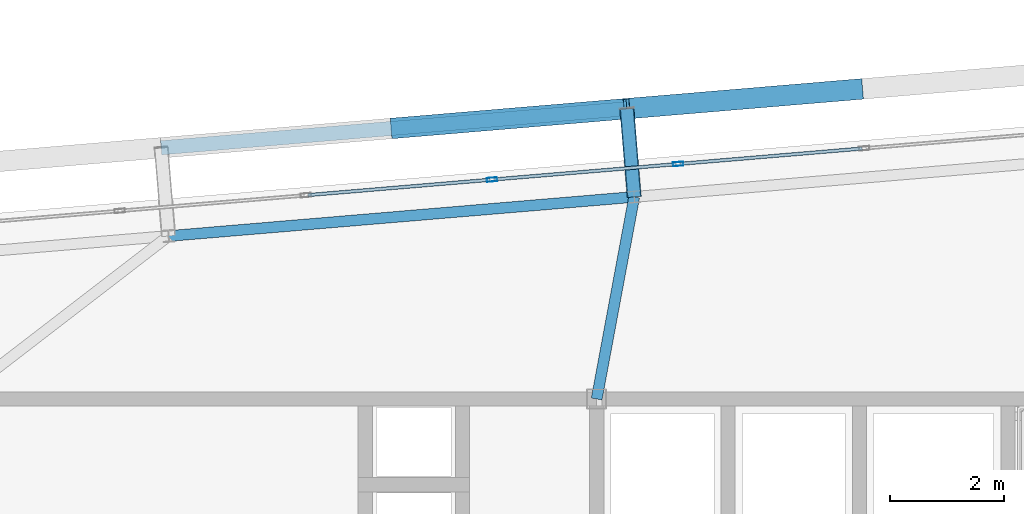
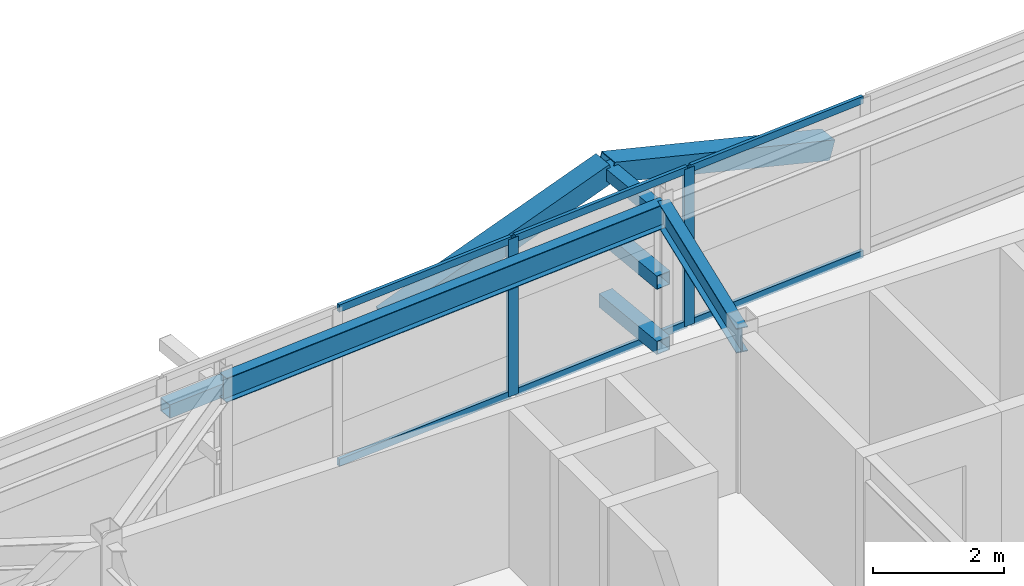
# One storey, part 29 of 46: 14 members, 2 beams, 1 element without a shape of its own.
"""IFC4 building model written with IfcOpenShell, lengths in metres."""

from ifc_helpers import new_model, si_unit, direction, frame, origin, origin_2d, place, context, subcontext, project, spatial, hollow_rectangle, i_section, extrude, source, transform, mapped, material, layer, layer_set, material_profile, profile_set, type_object, element, aggregate, save


model = new_model("IFC4")

# Units and contexts
model_context = context("Model", 3, precision=1e-05, world=origin(), true_north=direction((0.0, 1.0)))
body_context = subcontext(model_context, "Body", "Model", "MODEL_VIEW")
ifc_project = project(units=[si_unit("LENGTHUNIT", "METRE"), si_unit("AREAUNIT", "SQUARE_METRE"), si_unit("VOLUMEUNIT", "CUBIC_METRE"), si_unit("PLANEANGLEUNIT", "RADIAN"), si_unit("MASSUNIT", "GRAM", prefix="KILO")], contexts=[model_context])

# Site, building, storey
site_placement = place(None, origin())
site = spatial("IfcSite", under=ifc_project, at=site_placement, CompositionType="ELEMENT")
building_placement = place(site_placement, origin())
building = spatial("IfcBuilding", under=site, at=building_placement, Name="Taldren Reach Tower", CompositionType="ELEMENT")
storey_placement = place(building_placement, frame((0.0, 0.0, 185.14990234375)))
storey = spatial("IfcBuildingStorey", under=building, at=storey_placement, Name="L56", CompositionType="ELEMENT", Elevation=185.14990234375)

# Members
ifc_material_1 = material(Name="Steel Gr 350 (C350L0)", Category="steel")
ifc_material_profile_1 = material_profile(ifc_material_1, hollow_rectangle(XDim=0.25, YDim=0.25, WallThickness=0.010009765625, at=origin_2d()), Name="250x250x10.0SHS")
ifc_profile_set_1 = profile_set([ifc_material_profile_1], Name="Steel Gr 350 (C350L0)")
member_type_1 = type_object("IfcMemberType", Name="MB-POST250", PredefinedType="POST", material=ifc_profile_set_1)
shared_shape_1 = source(origin(), body_context, "Body", "SweptSolid", [
    extrude(hollow_rectangle(XDim=0.25, YDim=0.25, WallThickness=0.010009765625, at=origin_2d()), origin(), (0.0, 0.0, 1.0), 1.5498046875),
])
for number, where, z_axis, x_axis, name in (
    (1, (39.857666015625, 35.537109375, 0.22021484375), (-0.083645141657, 0.996495604746, 0.0), (-0.996495604746, -0.083645141657, 0.0), "Exoskeleton base diaphragm tie strut B4-N4 L56"),
    (2, (39.857666015625, 35.537109375, 1.43505859375), (-0.083645141657, 0.996495604746, 0.0), (-0.996495604746, -0.083645141657, 0.0), "Exoskeleton mid-tier diaphragm tie B4-N4 L56"),
):
    element("IfcMember", number, at=place(storey_placement, frame(where, z_axis=z_axis, x_axis=x_axis)), inside=storey, type_object=member_type_1, Name=name, PredefinedType="POST", context=body_context, shape_type="MappedRepresentation", body=[
        mapped(shared_shape_1, transform((0.0, 0.0, 0.0), scale=1.0)),
    ])

# Beams
ifc_material_2 = material(Name="Steel Gr 350 (350PLUS)", Category="steel")
ifc_material_profile_2 = material_profile(ifc_material_2, i_section(OverallWidth=0.18994140625, OverallDepth=0.4541015625, WebThickness=0.008544921875, FlangeThickness=0.0126953125, at=origin_2d()), Name="460UB67.1")
ifc_profile_set_2 = profile_set([ifc_material_profile_2], Name="Steel Gr 350 (350PLUS)")
beam_type_1 = type_object("IfcBeamType", Name="SP-UB460B", PredefinedType="SPANDREL", material=ifc_profile_set_2)
shared_shape_2 = source(origin(), body_context, "Body", "SweptSolid", [
    extrude(i_section(OverallWidth=0.18994140625, OverallDepth=0.4541015625, WebThickness=0.008544921875, FlangeThickness=0.0126953125, at=origin_2d()), origin(), (0.0, 0.0, 1.0), 8.18017578125),
])
beam_1_placement = place(storey_placement, frame((39.857666015625, 35.537109375, 2.703125), z_axis=(-0.996492034688, -0.083687662192, 0.0), x_axis=(0.083687662192, -0.996492034688, 0.0)))
element("IfcBeam", 3, at=beam_1_placement, inside=storey, type_object=beam_type_1, Name="Perimeter spandrel B4 N4-N3 L56", PredefinedType="SPANDREL", context=body_context, shape_type="MappedRepresentation", body=[
    mapped(shared_shape_2, transform((0.0, 0.0, 0.0), scale=1.0)),
])
ifc_material_profile_3 = material_profile(ifc_material_2, i_section(OverallWidth=0.19091796875, OverallDepth=0.4599609375, WebThickness=0.010009765625, FlangeThickness=0.01611328125, at=origin_2d()), Name="460UB82.1")
ifc_profile_set_3 = profile_set([ifc_material_profile_3], Name="Steel Gr 350 (350PLUS)")
beam_type_2 = type_object("IfcBeamType", Name="BM-UB460A", PredefinedType="BEAM", material=ifc_profile_set_3)
shared_shape_3 = source(origin(), body_context, "Body", "SweptSolid", [
    extrude(i_section(OverallWidth=0.19091796875, OverallDepth=0.4599609375, WebThickness=0.010009765625, FlangeThickness=0.01611328125, at=origin_2d()), origin(), (0.0, 0.0, 1.0), 3.59765625),
])
beam_2_placement = place(storey_placement, frame((39.199951171875, 32.0, 2.7001953125), z_axis=(0.182813344882, 0.983147639438, 0.0), x_axis=(-0.983147639438, 0.182813344882, 0.0)))
element("IfcBeam", 4, at=beam_2_placement, inside=storey, type_object=beam_type_2, Name="Primary floor girder B4-N4 L56", PredefinedType="BEAM", context=body_context, shape_type="MappedRepresentation", body=[
    mapped(shared_shape_3, transform((0.0, 0.0, 0.0), scale=1.0)),
])

# Members
ifc_material_3 = material(Name="Steel Gr 450 (C450L0)", Category="steel")
ifc_material_profile_4 = material_profile(ifc_material_3, hollow_rectangle(XDim=0.219970703125, YDim=0.219970703125, WallThickness=0.00830078125, at=origin_2d()), Name="220x220x8.2SHS")
ifc_profile_set_4 = profile_set([ifc_material_profile_4], Name="Steel Gr 450 (C450L0)")
member_type_2 = type_object("IfcMemberType", Name="MB-TIE219", PredefinedType="STRUT", material=ifc_profile_set_4)
shared_shape_4 = source(origin(), body_context, "Body", "SweptSolid", [
    extrude(hollow_rectangle(XDim=0.219970703125, YDim=0.219970703125, WallThickness=0.00830078125, at=origin_2d()), origin(), (0.0, 0.0, 1.0), 1.5498046875),
])
member_1_placement = place(storey_placement, frame((39.857666015625, 35.537109375, 2.650146484375), z_axis=(-0.083645141657, 0.996495604746, 0.0), x_axis=(-0.996495604746, -0.083645141657, 0.0)))
element("IfcMember", 5, at=member_1_placement, inside=storey, type_object=member_type_2, Name="Exoskeleton diaphragm tie strut B4-N4 L56", PredefinedType="STRUT", context=body_context, shape_type="MappedRepresentation", body=[
    mapped(shared_shape_4, transform((0.0, 0.0, 0.0), scale=1.0)),
])
shared_shape_5 = source(origin(), body_context, "Body", "SweptSolid", [
    extrude(hollow_rectangle(XDim=0.25, YDim=0.25, WallThickness=0.010009765625, at=origin_2d()), origin(), (0.0, 0.0, 1.0), 8.18017578125),
])
member_2_placement = place(storey_placement, frame((31.57666015625, 36.39697265625, 1.43505859375), z_axis=(0.996492034688, 0.083687662192, 0.0), x_axis=(-0.083687662192, 0.996492034688, 0.0)))
element("IfcMember", 6, at=member_2_placement, inside=storey, type_object=member_type_1, Name="Exoskeleton mid-height ring chord B4-N3 L56", PredefinedType="POST", context=body_context, shape_type="MappedRepresentation", body=[
    mapped(shared_shape_5, transform((0.0, 0.0, 0.0), scale=1.0)),
])
ifc_material_profile_5 = material_profile(ifc_material_3, hollow_rectangle(XDim=0.360107421875, YDim=0.360107421875, WallThickness=0.0126953125, at=origin_2d()), Name="360x360x12.7SHS")
ifc_profile_set_5 = profile_set([ifc_material_profile_5], Name="Steel Gr 450 (C450L0)")
member_type_3 = type_object("IfcMemberType", Name="MB-EXO356", PredefinedType="BRACE", material=ifc_profile_set_5)
shared_shape_6 = source(origin(), body_context, "Body", "SweptSolid", [
    extrude(hollow_rectangle(XDim=0.360107421875, YDim=0.360107421875, WallThickness=0.0126953125, at=origin_2d()), origin(), (0.0, 0.0, 1.0), 4.2666015625),
])
for number, where, z_axis, x_axis, name in (
    (7, (35.65234375, 36.7392578125, 1.43505859375), (0.955229159097, 0.080222312271, 0.284783486572), (-0.083687662192, 0.996492034688, 0.0), "Exoskeleton Diagrid Brace B4-N3 L56"),
    (8, (43.8037109375, 37.423828125, 1.43505859375), (-0.955229159097, -0.080222312271, 0.284783486572), (0.083687662192, -0.996492034688, 0.0), "Exoskeleton Diagrid Brace B4-N4 L56"),
):
    element("IfcMember", number, at=place(storey_placement, frame(where, z_axis=z_axis, x_axis=x_axis)), inside=storey, type_object=member_type_3, Name=name, PredefinedType="BRACE", context=body_context, shape_type="MappedRepresentation", body=[
        mapped(shared_shape_6, transform((0.0, 0.0, 0.0), scale=1.0)),
    ])

# Curtain wall, members
ifc_material_4 = material(Name="Aluminium and Low-E Glass Unitised System", Category="aluminium")
ifc_layer = layer(ifc_material_4, 0.159912109375)
ifc_layer_set = layer_set([ifc_layer], Name="Aluminium and Low-E Glass Unitised System")
curtain_wall_type = type_object("IfcCurtainWallType", Name="CW-SYS-5", PredefinedType="NOTDEFINED", material=ifc_layer_set)
curtain_wall_placement = place(storey_placement, origin())
curtain_wall = element("IfcCurtainWall", 9, at=curtain_wall_placement, inside=storey, type_object=curtain_wall_type, Name="Unitised curtain wall CW-L56-N", PredefinedType="NOTDEFINED")
ifc_material_5 = material(Name="Anodised Aluminium 6063-T6", Category="aluminium")
ifc_material_profile_6 = material_profile(ifc_material_5, hollow_rectangle(XDim=0.070068359375, YDim=0.179931640625, WallThickness=0.00390625, at=origin_2d()), Name="ALU-180x70x4RHS")
ifc_profile_set_6 = profile_set([ifc_material_profile_6], Name="Anodised Aluminium 6063-T6")
member_type_4 = type_object("IfcMemberType", Name="CW-MUL-180", PredefinedType="MULLION", material=ifc_profile_set_6)
shared_shape_7 = source(origin(), body_context, "Body", "SweptSolid", [
    extrude(hollow_rectangle(XDim=0.070068359375, YDim=0.179931640625, WallThickness=0.00390625, at=origin_2d()), origin(), (0.0, 0.0, 1.0), 2.93017578125),
])
member_3_placement = place(storey_placement, frame((40.6259765625, 36.11328125, 0.0), z_axis=(0.0, 0.0, 1.0), x_axis=(0.083677875247, -0.99649285657, 0.0)))
member_3 = element("IfcMember", 10, at=member_3_placement, type_object=member_type_4, Name="CW-5 mullion 6", PredefinedType="MULLION", context=body_context, shape_type="MappedRepresentation", body=[
    mapped(shared_shape_7, transform((0.0, 0.0, 0.0), scale=1.0)),
])
member_4_placement = place(storey_placement, frame((37.3681640625, 35.83984375, 0.0), z_axis=(0.0, 0.0, 1.0), x_axis=(0.083677875247, -0.99649285657, 0.0)))
member_4 = element("IfcMember", 11, at=member_4_placement, type_object=member_type_4, Name="CW-5 mullion 7", PredefinedType="MULLION", context=body_context, shape_type="MappedRepresentation", body=[
    mapped(shared_shape_7, transform((0.0, 0.0, 0.0), scale=1.0)),
])
ifc_material_profile_7 = material_profile(ifc_material_5, hollow_rectangle(XDim=0.06005859375, YDim=0.135009765625, WallThickness=0.00341796875, at=origin_2d()), Name="ALU-135x60x3.5RHS")
ifc_profile_set_7 = profile_set([ifc_material_profile_7], Name="Anodised Aluminium 6063-T6")
member_type_5 = type_object("IfcMemberType", Name="CW-TRN-150", PredefinedType="USERDEFINED", material=ifc_profile_set_7)
shared_shape_8 = source(origin(), body_context, "Body", "SweptSolid", [
    extrude(hollow_rectangle(XDim=0.06005859375, YDim=0.135009765625, WallThickness=0.00341796875, at=origin_2d()), origin(), (0.0, 0.0, 1.0), 3.19921875),
])
member_5_placement = place(storey_placement, frame((43.848876953125, 36.384033203125, 0.030029296875), z_axis=(-0.996489746258, -0.083714906697, 0.0), x_axis=(0.083714906697, -0.996489746258, 0.0)))
member_5 = element("IfcMember", 12, at=member_5_placement, type_object=member_type_5, Name="CW-5 transom 5.1", ObjectType="TRANSOM", PredefinedType="USERDEFINED", context=body_context, shape_type="MappedRepresentation", body=[
    mapped(shared_shape_8, transform((0.0, 0.0, 0.0), scale=1.0)),
])
member_6_placement = place(storey_placement, frame((43.848876953125, 36.384033203125, 2.900146484375), z_axis=(-0.996489746258, -0.083714906697, 0.0), x_axis=(0.083714906697, -0.996489746258, 0.0)))
member_6 = element("IfcMember", 13, at=member_6_placement, type_object=member_type_5, Name="CW-5 transom 5.2", ObjectType="TRANSOM", PredefinedType="USERDEFINED", context=body_context, shape_type="MappedRepresentation", body=[
    mapped(shared_shape_8, transform((0.0, 0.0, 0.0), scale=1.0)),
])
member_7_placement = place(storey_placement, frame((40.591064453125, 36.1103515625, 0.030029296875), z_axis=(-0.996496109493, -0.083639128198, 0.0), x_axis=(0.083639128198, -0.996496109493, 0.0)))
member_7 = element("IfcMember", 14, at=member_7_placement, type_object=member_type_5, Name="CW-5 transom 6.1", ObjectType="TRANSOM", PredefinedType="USERDEFINED", context=body_context, shape_type="MappedRepresentation", body=[
    mapped(shared_shape_8, transform((0.0, 0.0, 0.0), scale=1.0)),
])
member_8_placement = place(storey_placement, frame((40.591064453125, 36.1103515625, 2.900146484375), z_axis=(-0.996496109493, -0.083639128198, 0.0), x_axis=(0.083639128198, -0.996496109493, 0.0)))
member_8 = element("IfcMember", 15, at=member_8_placement, type_object=member_type_5, Name="CW-5 transom 6.2", ObjectType="TRANSOM", PredefinedType="USERDEFINED", context=body_context, shape_type="MappedRepresentation", body=[
    mapped(shared_shape_8, transform((0.0, 0.0, 0.0), scale=1.0)),
])
member_9_placement = place(storey_placement, frame((37.33349609375, 35.8369140625, 0.030029296875), z_axis=(-0.996489746258, -0.083714906697, 0.0), x_axis=(0.083714906697, -0.996489746258, 0.0)))
member_9 = element("IfcMember", 16, at=member_9_placement, type_object=member_type_5, Name="CW-5 transom 7.1", ObjectType="TRANSOM", PredefinedType="USERDEFINED", context=body_context, shape_type="MappedRepresentation", body=[
    mapped(shared_shape_8, transform((0.0, 0.0, 0.0), scale=1.0)),
])
member_10_placement = place(storey_placement, frame((37.33349609375, 35.8369140625, 2.900146484375), z_axis=(-0.996489746258, -0.083714906697, 0.0), x_axis=(0.083714906697, -0.996489746258, 0.0)))
member_10 = element("IfcMember", 17, at=member_10_placement, type_object=member_type_5, Name="CW-5 transom 7.2", ObjectType="TRANSOM", PredefinedType="USERDEFINED", context=body_context, shape_type="MappedRepresentation", body=[
    mapped(shared_shape_8, transform((0.0, 0.0, 0.0), scale=1.0)),
])
aggregate(curtain_wall, [member_3, member_4, member_5, member_6, member_7, member_8, member_9, member_10])

save(model, "model.ifc")
